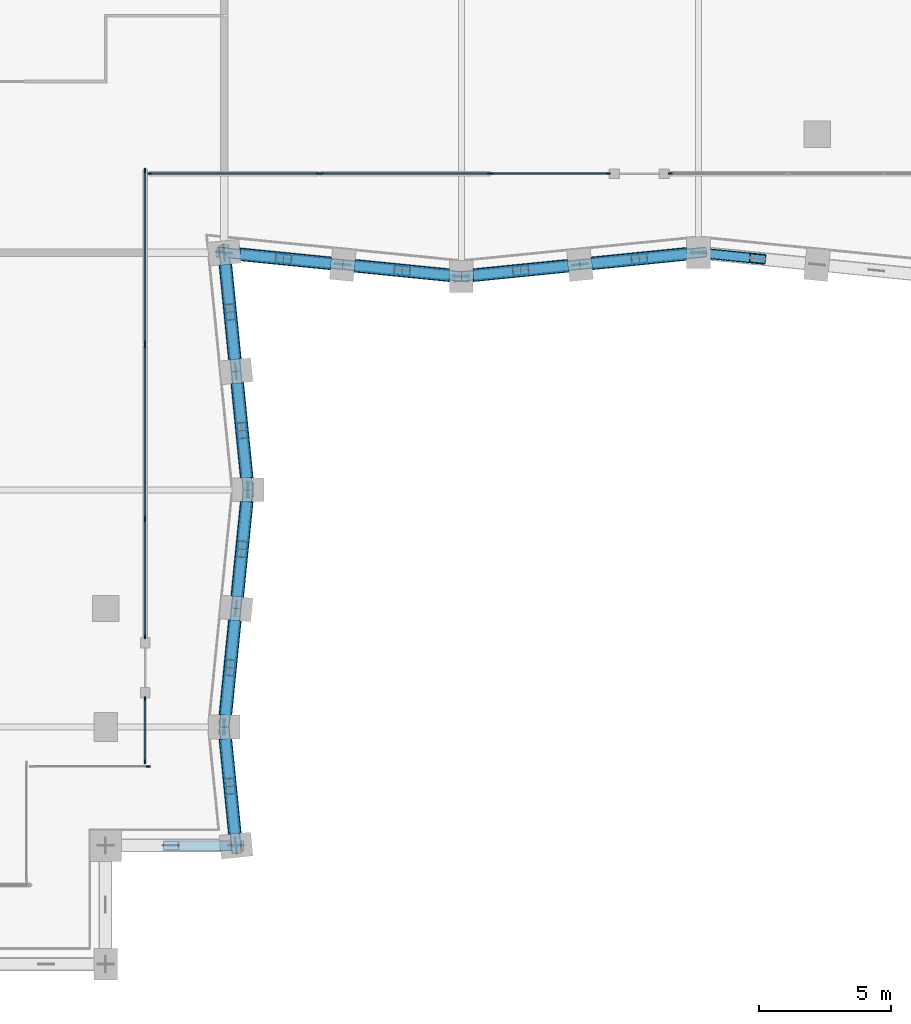
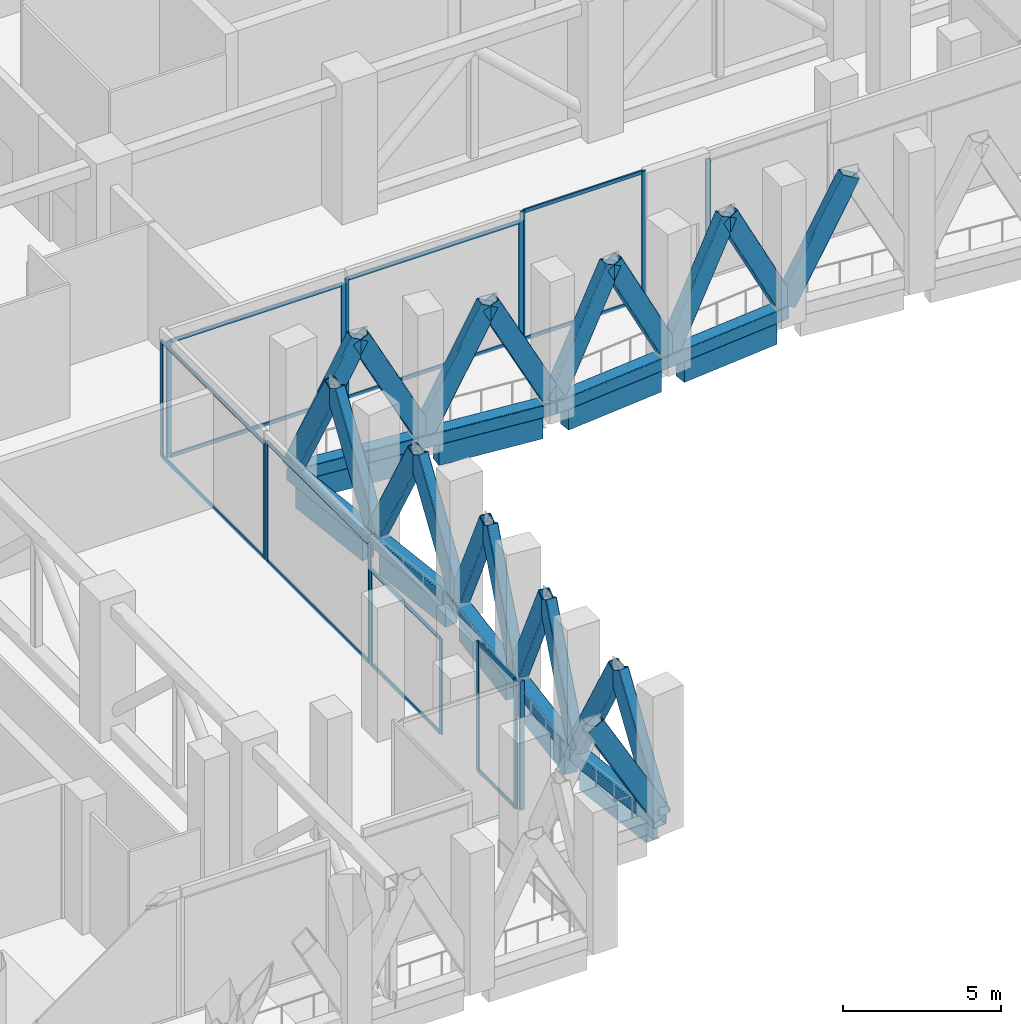
# One storey, part 9 of 37: 55 members, 9 beams, 9 elements without a shape of their own.
"""IFC4 building model written with IfcOpenShell, lengths in metres."""

from ifc_helpers import new_model, si_unit, direction, frame, origin, origin_2d, place, context, subcontext, project, spatial, rectangle, hollow_rectangle, extrude, material, material_profile, profile_set, type_object, element, aggregate, save


model = new_model("IFC4")

# Units and contexts
model_context = context("Model", 3, precision=1e-05, world=origin(), true_north=direction((0.0, 1.0)))
body_context = subcontext(model_context, "Body", "Model", "MODEL_VIEW")
ifc_project = project(units=[si_unit("LENGTHUNIT", "METRE"), si_unit("AREAUNIT", "SQUARE_METRE"), si_unit("VOLUMEUNIT", "CUBIC_METRE"), si_unit("PLANEANGLEUNIT", "RADIAN"), si_unit("MASSUNIT", "GRAM", prefix="KILO")], contexts=[model_context])

# Site, building, storey
site_placement = place(None, origin())
site = spatial("IfcSite", under=ifc_project, at=site_placement, CompositionType="ELEMENT")
building_placement = place(site_placement, origin())
building = spatial("IfcBuilding", under=site, at=building_placement, Name="Brondeck Convention Tower", CompositionType="ELEMENT")
storey_placement = place(building_placement, frame((0.0, 0.0, 137.89990234375)))
storey = spatial("IfcBuildingStorey", under=building, at=storey_placement, Name="L33", CompositionType="ELEMENT", Elevation=137.89990234375)

# Curtain wall, member
ifc_material_1 = material(Name="Aluminium, bronze anodised", Category="aluminium")
curtain_wall_type = type_object("IfcCurtainWallType", Name="Sky lobby curtain wall", PredefinedType="NOTDEFINED", material=ifc_material_1)
curtain_wall_1_placement = place(storey_placement, origin())
curtain_wall_1 = element("IfcCurtainWall", 1, at=curtain_wall_1_placement, inside=storey, type_object=curtain_wall_type, Name="ENV-L33-007-CW30", PredefinedType="NOTDEFINED")
ifc_material_profile_1 = material_profile(ifc_material_1, rectangle(XDim=0.06005859375, YDim=0.159912109375, at=origin_2d()), Name="CW3 mullion")
ifc_profile_set_1 = profile_set([ifc_material_profile_1], Name="Aluminium, bronze anodised")
member_type_1 = type_object("IfcMemberType", Name="CW3 mullion", PredefinedType="MULLION", material=ifc_profile_set_1)
member_1_placement = place(storey_placement, frame((33.1201171875, 7.5, 0.0), z_axis=(0.0, 0.0, 1.0), x_axis=(0.0, -1.0, 0.0)))
member_1 = element("IfcMember", 2, at=member_1_placement, type_object=member_type_1, Name="CW3 mullion 1", PredefinedType="MULLION", context=body_context, shape_type="SweptSolid", body=[
    extrude(rectangle(XDim=0.06005859375, YDim=0.159912109375, at=origin_2d()), origin(), (0.0, 0.0, 1.0), 5.0),
])
aggregate(curtain_wall_1, [member_1])

# Curtain wall, members
curtain_wall_2_placement = place(storey_placement, origin())
curtain_wall_2 = element("IfcCurtainWall", 3, at=curtain_wall_2_placement, inside=storey, type_object=curtain_wall_type, Name="ENV-L33-008-CW30", PredefinedType="NOTDEFINED")
member_2_placement = place(storey_placement, frame((33.0, 10.070068359375, 0.0), z_axis=(0.0, 0.0, 1.0), x_axis=(1.0, 0.0, 0.0)))
member_2 = element("IfcMember", 4, at=member_2_placement, type_object=member_type_1, Name="CW3 mullion 1", PredefinedType="MULLION", context=body_context, shape_type="SweptSolid", body=[
    extrude(rectangle(XDim=0.06005859375, YDim=0.159912109375, at=origin_2d()), origin(), (0.0, 0.0, 1.0), 5.0),
])
member_3_placement = place(storey_placement, frame((33.0, 7.679931640625, 0.0), z_axis=(0.0, 0.0, 1.0), x_axis=(1.0, 0.0, 0.0)))
member_3 = element("IfcMember", 5, at=member_3_placement, type_object=member_type_1, Name="CW3 mullion 2", PredefinedType="MULLION", context=body_context, shape_type="SweptSolid", body=[
    extrude(rectangle(XDim=0.06005859375, YDim=0.159912109375, at=origin_2d()), origin(), (0.0, 0.0, 1.0), 5.0),
])

curtain_wall_3_placement = place(storey_placement, origin())
curtain_wall_3 = element("IfcCurtainWall", 6, at=curtain_wall_3_placement, inside=storey, type_object=curtain_wall_type, Name="ENV-L33-010-CW30", PredefinedType="NOTDEFINED")
member_4_placement = place(storey_placement, frame((33.0, 16.8701171875, 0.0), z_axis=(0.0, 0.0, 1.0), x_axis=(1.0, 0.0, 0.0)))
member_4 = element("IfcMember", 7, at=member_4_placement, type_object=member_type_1, Name="CW3 mullion 1", PredefinedType="MULLION", context=body_context, shape_type="SweptSolid", body=[
    extrude(rectangle(XDim=0.06005859375, YDim=0.159912109375, at=origin_2d()), origin(), (0.0, 0.0, 1.0), 3.7001953125),
])
member_5_placement = place(storey_placement, frame((33.0, 12.429931640625, 0.0), z_axis=(0.0, 0.0, 1.0), x_axis=(1.0, 0.0, 0.0)))
member_5 = element("IfcMember", 8, at=member_5_placement, type_object=member_type_1, Name="CW3 mullion 2", PredefinedType="MULLION", context=body_context, shape_type="SweptSolid", body=[
    extrude(rectangle(XDim=0.06005859375, YDim=0.159912109375, at=origin_2d()), origin(), (0.0, 0.0, 1.0), 3.7001953125),
])

curtain_wall_4_placement = place(storey_placement, origin())
curtain_wall_4 = element("IfcCurtainWall", 9, at=curtain_wall_4_placement, inside=storey, type_object=curtain_wall_type, Name="ENV-L33-011-CW30", PredefinedType="NOTDEFINED")
member_6_placement = place(storey_placement, frame((33.0, 23.465087890625, 0.0), z_axis=(0.0, 0.0, 1.0), x_axis=(1.0, 0.0, 0.0)))
member_6 = element("IfcMember", 10, at=member_6_placement, type_object=member_type_1, Name="CW3 mullion 1", PredefinedType="MULLION", context=body_context, shape_type="SweptSolid", body=[
    extrude(rectangle(XDim=0.06005859375, YDim=0.159912109375, at=origin_2d()), origin(), (0.0, 0.0, 1.0), 4.650146484375),
])
member_7_placement = place(storey_placement, frame((33.0, 16.929931640625, 0.0), z_axis=(0.0, 0.0, 1.0), x_axis=(1.0, 0.0, 0.0)))
member_7 = element("IfcMember", 11, at=member_7_placement, type_object=member_type_1, Name="CW3 mullion 2", PredefinedType="MULLION", context=body_context, shape_type="SweptSolid", body=[
    extrude(rectangle(XDim=0.06005859375, YDim=0.159912109375, at=origin_2d()), origin(), (0.0, 0.0, 1.0), 4.650146484375),
])

curtain_wall_5_placement = place(storey_placement, origin())
curtain_wall_5 = element("IfcCurtainWall", 12, at=curtain_wall_5_placement, inside=storey, type_object=curtain_wall_type, Name="ENV-L33-011-CW31", PredefinedType="NOTDEFINED")
member_8_placement = place(storey_placement, frame((33.0, 30.1201171875, 0.0), z_axis=(0.0, 0.0, 1.0), x_axis=(1.0, 0.0, 0.0)))
member_8 = element("IfcMember", 13, at=member_8_placement, type_object=member_type_1, Name="CW3 mullion 1", PredefinedType="MULLION", context=body_context, shape_type="SweptSolid", body=[
    extrude(rectangle(XDim=0.06005859375, YDim=0.159912109375, at=origin_2d()), origin(), (0.0, 0.0, 1.0), 4.5),
])
member_9_placement = place(storey_placement, frame((33.0, 23.5849609375, 0.0), z_axis=(0.0, 0.0, 1.0), x_axis=(1.0, 0.0, 0.0)))
member_9 = element("IfcMember", 14, at=member_9_placement, type_object=member_type_1, Name="CW3 mullion 2", PredefinedType="MULLION", context=body_context, shape_type="SweptSolid", body=[
    extrude(rectangle(XDim=0.06005859375, YDim=0.159912109375, at=origin_2d()), origin(), (0.0, 0.0, 1.0), 4.5),
])

curtain_wall_6_placement = place(storey_placement, origin())
curtain_wall_6 = element("IfcCurtainWall", 15, at=curtain_wall_6_placement, inside=storey, type_object=curtain_wall_type, Name="ENV-L33-012-CW30", PredefinedType="NOTDEFINED")
member_10_placement = place(storey_placement, frame((39.56396484375, 30.0, 0.0), z_axis=(0.0, 0.0, 1.0), x_axis=(0.0, -1.0, 0.0)))
member_10 = element("IfcMember", 16, at=member_10_placement, type_object=member_type_1, Name="CW3 mullion 1", PredefinedType="MULLION", context=body_context, shape_type="SweptSolid", body=[
    extrude(rectangle(XDim=0.06005859375, YDim=0.159912109375, at=origin_2d()), origin(), (0.0, 0.0, 1.0), 4.5),
])
member_11_placement = place(storey_placement, frame((33.177978515625, 30.0, 0.0), z_axis=(0.0, 0.0, 1.0), x_axis=(0.0, -1.0, 0.0)))
member_11 = element("IfcMember", 17, at=member_11_placement, type_object=member_type_1, Name="CW3 mullion 2", PredefinedType="MULLION", context=body_context, shape_type="SweptSolid", body=[
    extrude(rectangle(XDim=0.06005859375, YDim=0.159912109375, at=origin_2d()), origin(), (0.0, 0.0, 1.0), 4.5),
])

curtain_wall_7_placement = place(storey_placement, origin())
curtain_wall_7 = element("IfcCurtainWall", 18, at=curtain_wall_7_placement, inside=storey, type_object=curtain_wall_type, Name="ENV-L33-012-CW31", PredefinedType="NOTDEFINED")
member_12_placement = place(storey_placement, frame((46.070068359375, 30.0, 0.0), z_axis=(0.0, 0.0, 1.0), x_axis=(0.0, -1.0, 0.0)))
member_12 = element("IfcMember", 19, at=member_12_placement, type_object=member_type_1, Name="CW3 mullion 1", PredefinedType="MULLION", context=body_context, shape_type="SweptSolid", body=[
    extrude(rectangle(XDim=0.06005859375, YDim=0.159912109375, at=origin_2d()), origin(), (0.0, 0.0, 1.0), 4.650146484375),
])
member_13_placement = place(storey_placement, frame((39.68408203125, 30.0, 0.0), z_axis=(0.0, 0.0, 1.0), x_axis=(0.0, -1.0, 0.0)))
member_13 = element("IfcMember", 20, at=member_13_placement, type_object=member_type_1, Name="CW3 mullion 2", PredefinedType="MULLION", context=body_context, shape_type="SweptSolid", body=[
    extrude(rectangle(XDim=0.06005859375, YDim=0.159912109375, at=origin_2d()), origin(), (0.0, 0.0, 1.0), 4.650146484375),
])

curtain_wall_8_placement = place(storey_placement, origin())
curtain_wall_8 = element("IfcCurtainWall", 21, at=curtain_wall_8_placement, inside=storey, type_object=curtain_wall_type, Name="ENV-L33-013-CW30", PredefinedType="NOTDEFINED")
member_14_placement = place(storey_placement, frame((50.570068359375, 30.0, 0.0), z_axis=(0.0, 0.0, 1.0), x_axis=(0.0, -1.0, 0.0)))
member_14 = element("IfcMember", 22, at=member_14_placement, type_object=member_type_1, Name="CW3 mullion 1", PredefinedType="MULLION", context=body_context, shape_type="SweptSolid", body=[
    extrude(rectangle(XDim=0.06005859375, YDim=0.159912109375, at=origin_2d()), origin(), (0.0, 0.0, 1.0), 5.0),
])
member_15_placement = place(storey_placement, frame((46.1298828125, 30.0, 0.0), z_axis=(0.0, 0.0, 1.0), x_axis=(0.0, -1.0, 0.0)))
member_15 = element("IfcMember", 23, at=member_15_placement, type_object=member_type_1, Name="CW3 mullion 2", PredefinedType="MULLION", context=body_context, shape_type="SweptSolid", body=[
    extrude(rectangle(XDim=0.06005859375, YDim=0.159912109375, at=origin_2d()), origin(), (0.0, 0.0, 1.0), 5.0),
])

# Curtain wall, member
curtain_wall_9_placement = place(storey_placement, origin())
curtain_wall_9 = element("IfcCurtainWall", 24, at=curtain_wall_9_placement, inside=storey, type_object=curtain_wall_type, Name="ENV-L33-015-CW30", PredefinedType="NOTDEFINED")
member_16_placement = place(storey_placement, frame((52.929931640625, 30.0, 0.0), z_axis=(0.0, 0.0, 1.0), x_axis=(0.0, -1.0, 0.0)))
member_16 = element("IfcMember", 25, at=member_16_placement, type_object=member_type_1, Name="CW3 mullion 2", PredefinedType="MULLION", context=body_context, shape_type="SweptSolid", body=[
    extrude(rectangle(XDim=0.06005859375, YDim=0.159912109375, at=origin_2d()), origin(), (0.0, 0.0, 1.0), 4.650146484375),
])
aggregate(curtain_wall_9, [member_16])

# Member
ifc_material_profile_2 = material_profile(ifc_material_1, rectangle(XDim=0.06005859375, YDim=0.139892578125, at=origin_2d()), Name="CW3 transom")
ifc_profile_set_2 = profile_set([ifc_material_profile_2], Name="Aluminium, bronze anodised")
member_type_2 = type_object("IfcMemberType", Name="CW3 transom", PredefinedType="USERDEFINED", material=ifc_profile_set_2)
member_17_placement = place(storey_placement, frame((33.0, 10.0400390625, 0.030029296875), z_axis=(0.0, -1.0, 0.0), x_axis=(1.0, 0.0, 0.0)))
member_17 = element("IfcMember", 26, at=member_17_placement, type_object=member_type_2, Name="CW3 transom 1.1", ObjectType="TRANSOM", PredefinedType="USERDEFINED", context=body_context, shape_type="SweptSolid", body=[
    extrude(rectangle(XDim=0.06005859375, YDim=0.139892578125, at=origin_2d()), origin(), (0.0, 0.0, 1.0), 2.330078125),
])

member_18_placement = place(storey_placement, frame((33.0, 10.0400390625, 4.97021484375), z_axis=(0.0, -1.0, 0.0), x_axis=(1.0, 0.0, 0.0)))
member_18 = element("IfcMember", 27, at=member_18_placement, type_object=member_type_2, Name="CW3 transom 1.2", ObjectType="TRANSOM", PredefinedType="USERDEFINED", context=body_context, shape_type="SweptSolid", body=[
    extrude(rectangle(XDim=0.06005859375, YDim=0.139892578125, at=origin_2d()), origin(), (0.0, 0.0, 1.0), 2.330078125),
])

aggregate(curtain_wall_2, [member_2, member_3, member_17, member_18])

member_19_placement = place(storey_placement, frame((33.0, 16.840087890625, 0.030029296875), z_axis=(0.0, -1.0, 0.0), x_axis=(1.0, 0.0, 0.0)))
member_19 = element("IfcMember", 28, at=member_19_placement, type_object=member_type_2, Name="CW3 transom 1.1", ObjectType="TRANSOM", PredefinedType="USERDEFINED", context=body_context, shape_type="SweptSolid", body=[
    extrude(rectangle(XDim=0.06005859375, YDim=0.139892578125, at=origin_2d()), origin(), (0.0, 0.0, 1.0), 4.380126953125),
])

member_20_placement = place(storey_placement, frame((33.0, 16.840087890625, 3.670166015625), z_axis=(0.0, -1.0, 0.0), x_axis=(1.0, 0.0, 0.0)))
member_20 = element("IfcMember", 29, at=member_20_placement, type_object=member_type_2, Name="CW3 transom 1.2", ObjectType="TRANSOM", PredefinedType="USERDEFINED", context=body_context, shape_type="SweptSolid", body=[
    extrude(rectangle(XDim=0.06005859375, YDim=0.139892578125, at=origin_2d()), origin(), (0.0, 0.0, 1.0), 4.380126953125),
])

aggregate(curtain_wall_3, [member_4, member_5, member_19, member_20])

member_21_placement = place(storey_placement, frame((33.0, 23.43505859375, 0.030029296875), z_axis=(0.0, -1.0, 0.0), x_axis=(1.0, 0.0, 0.0)))
member_21 = element("IfcMember", 30, at=member_21_placement, type_object=member_type_2, Name="CW3 transom 1.1", ObjectType="TRANSOM", PredefinedType="USERDEFINED", context=body_context, shape_type="SweptSolid", body=[
    extrude(rectangle(XDim=0.06005859375, YDim=0.139892578125, at=origin_2d()), origin(), (0.0, 0.0, 1.0), 6.47509765625),
])

member_22_placement = place(storey_placement, frame((33.0, 23.43505859375, 4.6201171875), z_axis=(0.0, -1.0, 0.0), x_axis=(1.0, 0.0, 0.0)))
member_22 = element("IfcMember", 31, at=member_22_placement, type_object=member_type_2, Name="CW3 transom 1.2", ObjectType="TRANSOM", PredefinedType="USERDEFINED", context=body_context, shape_type="SweptSolid", body=[
    extrude(rectangle(XDim=0.06005859375, YDim=0.139892578125, at=origin_2d()), origin(), (0.0, 0.0, 1.0), 6.47509765625),
])

aggregate(curtain_wall_4, [member_6, member_7, member_21, member_22])

member_23_placement = place(storey_placement, frame((33.0, 30.090087890625, 0.030029296875), z_axis=(0.0, -1.0, 0.0), x_axis=(1.0, 0.0, 0.0)))
member_23 = element("IfcMember", 32, at=member_23_placement, type_object=member_type_2, Name="CW3 transom 1.1", ObjectType="TRANSOM", PredefinedType="USERDEFINED", context=body_context, shape_type="SweptSolid", body=[
    extrude(rectangle(XDim=0.06005859375, YDim=0.139892578125, at=origin_2d()), origin(), (0.0, 0.0, 1.0), 6.47509765625),
])

member_24_placement = place(storey_placement, frame((33.0, 30.090087890625, 4.47021484375), z_axis=(0.0, -1.0, 0.0), x_axis=(1.0, 0.0, 0.0)))
member_24 = element("IfcMember", 33, at=member_24_placement, type_object=member_type_2, Name="CW3 transom 1.2", ObjectType="TRANSOM", PredefinedType="USERDEFINED", context=body_context, shape_type="SweptSolid", body=[
    extrude(rectangle(XDim=0.06005859375, YDim=0.139892578125, at=origin_2d()), origin(), (0.0, 0.0, 1.0), 6.47509765625),
])

aggregate(curtain_wall_5, [member_8, member_9, member_23, member_24])

member_25_placement = place(storey_placement, frame((39.533935546875, 30.0, 0.030029296875), z_axis=(-1.0, 0.0, 0.0), x_axis=(0.0, -1.0, 0.0)))
member_25 = element("IfcMember", 34, at=member_25_placement, type_object=member_type_2, Name="CW3 transom 1.1", ObjectType="TRANSOM", PredefinedType="USERDEFINED", context=body_context, shape_type="SweptSolid", body=[
    extrude(rectangle(XDim=0.06005859375, YDim=0.139892578125, at=origin_2d()), origin(), (0.0, 0.0, 1.0), 6.325927734375),
])

member_26_placement = place(storey_placement, frame((39.533935546875, 30.0, 4.47021484375), z_axis=(-1.0, 0.0, 0.0), x_axis=(0.0, -1.0, 0.0)))
member_26 = element("IfcMember", 35, at=member_26_placement, type_object=member_type_2, Name="CW3 transom 1.2", ObjectType="TRANSOM", PredefinedType="USERDEFINED", context=body_context, shape_type="SweptSolid", body=[
    extrude(rectangle(XDim=0.06005859375, YDim=0.139892578125, at=origin_2d()), origin(), (0.0, 0.0, 1.0), 6.325927734375),
])

aggregate(curtain_wall_6, [member_10, member_11, member_25, member_26])

member_27_placement = place(storey_placement, frame((46.0400390625, 30.0, 0.030029296875), z_axis=(-1.0, 0.0, 0.0), x_axis=(0.0, -1.0, 0.0)))
member_27 = element("IfcMember", 36, at=member_27_placement, type_object=member_type_2, Name="CW3 transom 1.1", ObjectType="TRANSOM", PredefinedType="USERDEFINED", context=body_context, shape_type="SweptSolid", body=[
    extrude(rectangle(XDim=0.06005859375, YDim=0.139892578125, at=origin_2d()), origin(), (0.0, 0.0, 1.0), 6.325927734375),
])

member_28_placement = place(storey_placement, frame((46.0400390625, 30.0, 4.6201171875), z_axis=(-1.0, 0.0, 0.0), x_axis=(0.0, -1.0, 0.0)))
member_28 = element("IfcMember", 37, at=member_28_placement, type_object=member_type_2, Name="CW3 transom 1.2", ObjectType="TRANSOM", PredefinedType="USERDEFINED", context=body_context, shape_type="SweptSolid", body=[
    extrude(rectangle(XDim=0.06005859375, YDim=0.139892578125, at=origin_2d()), origin(), (0.0, 0.0, 1.0), 6.325927734375),
])

aggregate(curtain_wall_7, [member_12, member_13, member_27, member_28])

member_29_placement = place(storey_placement, frame((50.5400390625, 30.0, 0.030029296875), z_axis=(-1.0, 0.0, 0.0), x_axis=(0.0, -1.0, 0.0)))
member_29 = element("IfcMember", 38, at=member_29_placement, type_object=member_type_2, Name="CW3 transom 1.1", ObjectType="TRANSOM", PredefinedType="USERDEFINED", context=body_context, shape_type="SweptSolid", body=[
    extrude(rectangle(XDim=0.06005859375, YDim=0.139892578125, at=origin_2d()), origin(), (0.0, 0.0, 1.0), 4.380126953125),
])

member_30_placement = place(storey_placement, frame((50.5400390625, 30.0, 4.97021484375), z_axis=(-1.0, 0.0, 0.0), x_axis=(0.0, -1.0, 0.0)))
member_30 = element("IfcMember", 39, at=member_30_placement, type_object=member_type_2, Name="CW3 transom 1.2", ObjectType="TRANSOM", PredefinedType="USERDEFINED", context=body_context, shape_type="SweptSolid", body=[
    extrude(rectangle(XDim=0.06005859375, YDim=0.139892578125, at=origin_2d()), origin(), (0.0, 0.0, 1.0), 4.380126953125),
])

aggregate(curtain_wall_8, [member_14, member_15, member_29, member_30])

# Members
ifc_material_2 = material(Name="Steel S460", Category="steel")
ifc_material_profile_3 = material_profile(ifc_material_2, hollow_rectangle(XDim=0.39990234375, YDim=0.699951171875, WallThickness=0.030029296875, InnerFilletRadius=0.030029296875, OuterFilletRadius=0.06005859375, at=origin_2d()), Name="RHS 700x400x30")
ifc_profile_set_3 = profile_set([ifc_material_profile_3], Name="Steel S460")
member_type_3 = type_object("IfcMemberType", Name="Chevron brace RHS 700x400x30", PredefinedType="BRACE", material=ifc_profile_set_3)
member_31_placement = place(storey_placement, frame((36.449951171875, 4.5, 0.5), z_axis=(-0.494493751194, 0.0, 0.869181183661), x_axis=(0.0, -1.0, 0.0)))
element("IfcMember", 40, at=member_31_placement, inside=storey, type_object=member_type_3, Name="Belt truss BT-33-8 diagonal", PredefinedType="BRACE", context=body_context, shape_type="SweptSolid", body=[
    extrude(hollow_rectangle(XDim=0.39990234375, YDim=0.699951171875, WallThickness=0.030029296875, InnerFilletRadius=0.030029296875, OuterFilletRadius=0.06005859375, at=origin_2d()), origin(), (0.0, 0.0, 1.0), 5.0048828125),
])
for number, where, z_axis, x_axis, name in (
    (41, (36.449951171875, 4.5, 0.5), (-0.045863256892, 0.458931352356, 0.887287200117), (-0.995043602151, -0.099439578731, 0.0), "Belt truss BT-33-9 diagonal"),
    (42, (36.0, 9.0, 0.5), (0.045912949215, -0.458930303654, 0.887285172581), (0.995032913332, 0.099546478526, 0.0), "Belt truss BT-33-9 diagonal"),
    (43, (36.0, 9.0, 0.5), (0.045912949215, 0.458930303654, 0.887285172581), (-0.995032913332, 0.099546478526, 0.0), "Belt truss BT-33-10 diagonal"),
    (44, (36.449951171875, 13.5, 0.5), (-0.045863256892, -0.458931352356, 0.887287200117), (0.995043602151, -0.099439578731, 0.0), "Belt truss BT-33-10 diagonal"),
    (45, (36.449951171875, 13.5, 0.5), (0.045912949215, 0.458930303654, 0.887285172581), (-0.995032913332, 0.099546478526, 0.0), "Belt truss BT-33-11 diagonal"),
    (46, (36.89990234375, 18.0, 0.5), (-0.045863256892, -0.458931352356, 0.887287200117), (0.995043602151, -0.099439578731, 0.0), "Belt truss BT-33-11 diagonal"),
    (47, (36.89990234375, 18.0, 0.5), (-0.045863256892, 0.458931352356, 0.887287200117), (-0.995043602151, -0.099439578731, 0.0), "Belt truss BT-33-12 diagonal"),
    (48, (36.449951171875, 22.5, 0.5), (0.045912949215, -0.458930303654, 0.887285172581), (0.995032913332, 0.099546478526, 0.0), "Belt truss BT-33-12 diagonal"),
    (49, (36.449951171875, 22.5, 0.5), (-0.045863256892, 0.458931352356, 0.887287200117), (-0.995043602151, -0.099439578731, 0.0), "Belt truss BT-33-13 diagonal"),
    (50, (36.0, 27.0, 0.5), (0.045912949215, -0.458930303654, 0.887285172581), (0.995032913332, 0.099546478526, 0.0), "Belt truss BT-33-13 diagonal"),
    (51, (36.0, 27.0, 0.5), (0.458930303654, -0.045912949215, 0.887285172581), (0.099546478526, 0.995032913332, 0.0), "Belt truss BT-33-14 diagonal"),
    (52, (40.5, 26.550048828125, 0.5), (-0.458931352356, 0.045863256892, 0.887287200117), (-0.099439578731, -0.995043602151, 0.0), "Belt truss BT-33-14 diagonal"),
    (53, (40.5, 26.550048828125, 0.5), (0.458930303654, -0.045912949215, 0.887285172581), (0.099546478526, 0.995032913332, 0.0), "Belt truss BT-33-15 diagonal"),
    (54, (45.0, 26.10009765625, 0.5), (-0.458931352356, 0.045863256892, 0.887287200117), (-0.099439578731, -0.995043602151, 0.0), "Belt truss BT-33-15 diagonal"),
    (55, (45.0, 26.10009765625, 0.5), (0.458931352356, 0.045863256892, 0.887287200117), (-0.099439578731, 0.995043602151, 0.0), "Belt truss BT-33-16 diagonal"),
    (56, (49.5, 26.550048828125, 0.5), (-0.458930303654, -0.045912949215, 0.887285172581), (0.099546478526, -0.995032913332, 0.0), "Belt truss BT-33-16 diagonal"),
    (57, (49.5, 26.550048828125, 0.5), (0.458931352356, 0.045863256892, 0.887287200117), (-0.099439578731, 0.995043602151, 0.0), "Belt truss BT-33-17 diagonal"),
    (58, (54.0, 27.0, 0.5), (-0.458930303654, -0.045912949215, 0.887285172581), (0.099546478526, -0.995032913332, 0.0), "Belt truss BT-33-17 diagonal"),
    (59, (54.0, 27.0, 0.5), (0.458930303654, -0.045912949215, 0.887285172581), (0.099546478526, 0.995032913332, 0.0), "Belt truss BT-33-18 diagonal"),
):
    element("IfcMember", number, at=place(storey_placement, frame(where, z_axis=z_axis, x_axis=x_axis)), inside=storey, type_object=member_type_3, Name=name, PredefinedType="BRACE", context=body_context, shape_type="SweptSolid", body=[
        extrude(hollow_rectangle(XDim=0.39990234375, YDim=0.699951171875, WallThickness=0.030029296875, InnerFilletRadius=0.030029296875, OuterFilletRadius=0.06005859375, at=origin_2d()), origin(), (0.0, 0.0, 1.0), 4.902587890625),
    ])

# Beams
ifc_material_3 = material(Name="Concrete C70/85", Category="concrete")
ifc_material_profile_4 = material_profile(ifc_material_3, rectangle(XDim=0.449951171875, YDim=0.800048828125, at=origin_2d()), Name="Precast spandrel 450x800 Concrete C70/85")
ifc_profile_set_4 = profile_set([ifc_material_profile_4], Name="Concrete C70/85")
beam_type = type_object("IfcBeamType", Name="Precast spandrel 450x800 Concrete C70/85", PredefinedType="SPANDREL", material=ifc_profile_set_4)
for number, where, z_axis, x_axis, name in (
    (60, (36.4052734375, 4.94775390625, -0.39990234375), (-0.099537103649, 0.995033851182, 0.0), (-0.995033851182, -0.099537103649, 0.0), "STR-SP-L33-009"),
    (61, (36.044921875, 9.449951171875, -0.39990234375), (0.099537103649, 0.995033851182, 0.0), (-0.995033851182, 0.099537103649, 0.0), "STR-SP-L33-010"),
    (62, (36.494873046875, 13.94775390625, -0.39990234375), (0.099470334057, 0.995040528141, 0.0), (-0.995040528141, 0.099470334057, 0.0), "STR-SP-L33-011"),
    (63, (36.85498046875, 18.449951171875, -0.39990234375), (-0.099470334057, 0.995040528141, 0.0), (-0.995040528141, -0.099470334057, 0.0), "STR-SP-L33-012"),
):
    element("IfcBeam", number, at=place(storey_placement, frame(where, z_axis=z_axis, x_axis=x_axis)), inside=storey, type_object=beam_type, Name=name, PredefinedType="SPANDREL", context=body_context, shape_type="SweptSolid", body=[
        extrude(rectangle(XDim=0.449951171875, YDim=0.800048828125, at=origin_2d()), origin(), (0.0, 0.0, 1.0), 3.620361328125),
    ])
beam_1_placement = place(storey_placement, frame((36.4052734375, 22.94775390625, -0.39990234375), z_axis=(-0.099543756114, 0.995033185687, 0.0), x_axis=(-0.995033185687, -0.099543756114, 0.0)))
element("IfcBeam", 64, at=beam_1_placement, inside=storey, type_object=beam_type, Name="STR-SP-L33-013", PredefinedType="SPANDREL", context=body_context, shape_type="SweptSolid", body=[
    extrude(rectangle(XDim=0.449951171875, YDim=0.800048828125, at=origin_2d()), origin(), (0.0, 0.0, 1.0), 3.62255859375),
])
beam_2_placement = place(storey_placement, frame((36.609130859375, 26.939208984375, -0.39990234375), z_axis=(0.995032299082, -0.099552618167, 0.0), x_axis=(0.099552618167, 0.995032299082, 0.0)))
element("IfcBeam", 65, at=beam_2_placement, inside=storey, type_object=beam_type, Name="STR-SP-L33-014", PredefinedType="SPANDREL", context=body_context, shape_type="SweptSolid", body=[
    extrude(rectangle(XDim=0.449951171875, YDim=0.800048828125, at=origin_2d()), origin(), (0.0, 0.0, 1.0), 3.460205078125),
])
for number, where, z_axis, x_axis, name in (
    (66, (40.94775390625, 26.505126953125, -0.39990234375), (0.995040528141, -0.099470334057, 0.0), (0.099470334057, 0.995040528141, 0.0), "STR-SP-L33-015"),
    (67, (45.449951171875, 26.14501953125, -0.39990234375), (0.995040528141, 0.099470334057, 0.0), (-0.099470334057, 0.995040528141, 0.0), "STR-SP-L33-016"),
    (68, (49.94775390625, 26.5947265625, -0.39990234375), (0.995033851182, 0.099537103649, 0.0), (-0.099537103649, 0.995033851182, 0.0), "STR-SP-L33-017"),
):
    element("IfcBeam", number, at=place(storey_placement, frame(where, z_axis=z_axis, x_axis=x_axis)), inside=storey, type_object=beam_type, Name=name, PredefinedType="SPANDREL", context=body_context, shape_type="SweptSolid", body=[
        extrude(rectangle(XDim=0.449951171875, YDim=0.800048828125, at=origin_2d()), origin(), (0.0, 0.0, 1.0), 3.620361328125),
    ])

# Members
ifc_material_profile_5 = material_profile(ifc_material_2, hollow_rectangle(XDim=0.5, YDim=0.5, WallThickness=0.02490234375, InnerFilletRadius=0.02490234375, OuterFilletRadius=0.050048828125, at=origin_2d()), Name="RHS 500x500x25")
ifc_profile_set_5 = profile_set([ifc_material_profile_5], Name="Steel S460")
member_type_4 = type_object("IfcMemberType", Name="Truss chord RHS 500x500x25", PredefinedType="CHORD", material=ifc_profile_set_5)
member_32_placement = place(storey_placement, frame((36.449951171875, 4.5, 0.25), z_axis=(-0.099493029059, 0.995038259148, 0.0), x_axis=(-0.995038259148, -0.099493029059, 0.0)))
element("IfcMember", 69, at=member_32_placement, inside=storey, type_object=member_type_4, Name="Belt truss BT-33-4 chord", PredefinedType="CHORD", context=body_context, shape_type="SweptSolid", body=[
    extrude(hollow_rectangle(XDim=0.5, YDim=0.5, WallThickness=0.02490234375, InnerFilletRadius=0.02490234375, OuterFilletRadius=0.050048828125, at=origin_2d()), origin(), (0.0, 0.0, 1.0), 4.5224609375),
])
for number, where, z_axis, x_axis, name in (
    (70, (36.0, 9.0, 0.25), (0.099493029059, 0.995038259148, 0.0), (-0.995038259148, 0.099493029059, 0.0), "Belt truss BT-33-5 chord"),
    (71, (36.89990234375, 18.0, 0.25), (-0.099493029059, 0.995038259148, 0.0), (-0.995038259148, -0.099493029059, 0.0), "Belt truss BT-33-6 chord"),
    (72, (36.0, 27.0, 0.25), (0.995038259148, -0.099493029059, 0.0), (0.099493029059, 0.995038259148, 0.0), "Belt truss BT-33-7 chord"),
    (73, (45.0, 26.10009765625, 0.25), (0.995038259148, 0.099493029059, 0.0), (-0.099493029059, 0.995038259148, 0.0), "Belt truss BT-33-8 chord"),
):
    element("IfcMember", number, at=place(storey_placement, frame(where, z_axis=z_axis, x_axis=x_axis)), inside=storey, type_object=member_type_4, Name=name, PredefinedType="CHORD", context=body_context, shape_type="SweptSolid", body=[
        extrude(hollow_rectangle(XDim=0.5, YDim=0.5, WallThickness=0.02490234375, InnerFilletRadius=0.02490234375, OuterFilletRadius=0.050048828125, at=origin_2d()), origin(), (0.0, 0.0, 1.0), 9.044921875),
    ])

save(model, "model.ifc")
